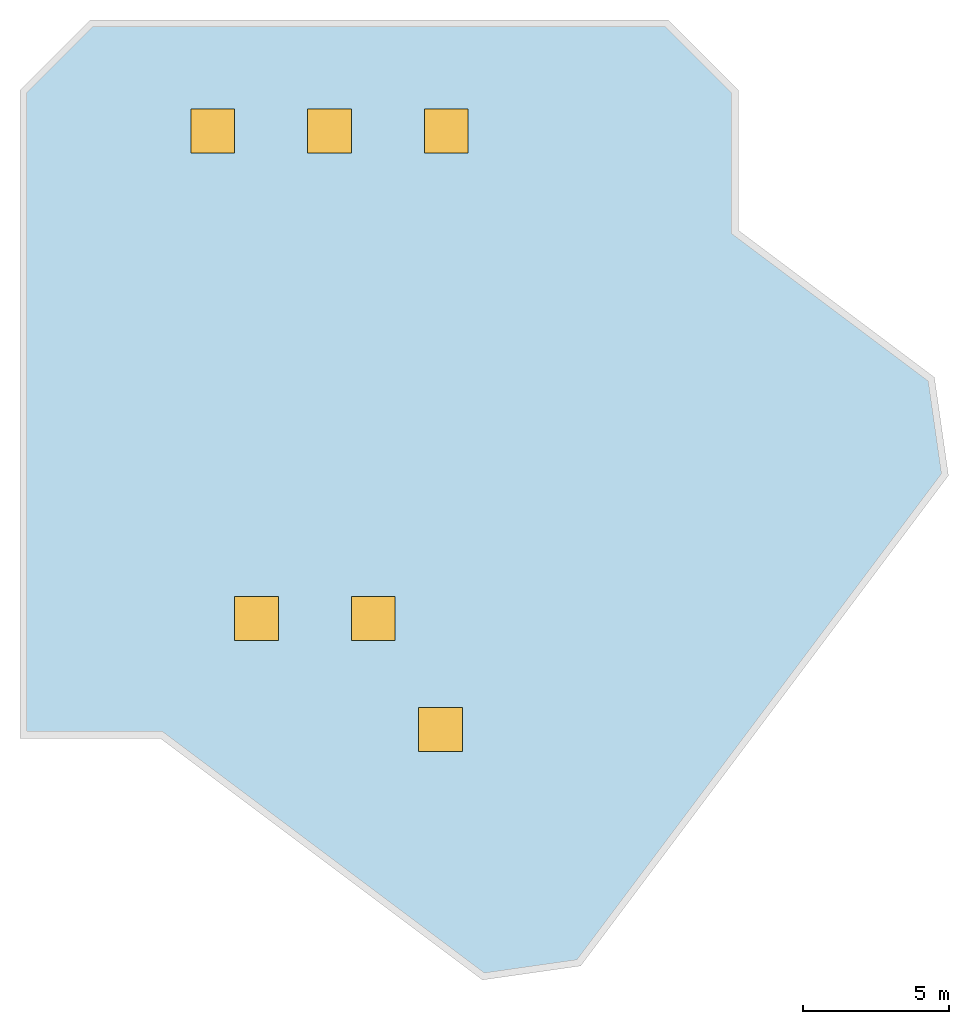
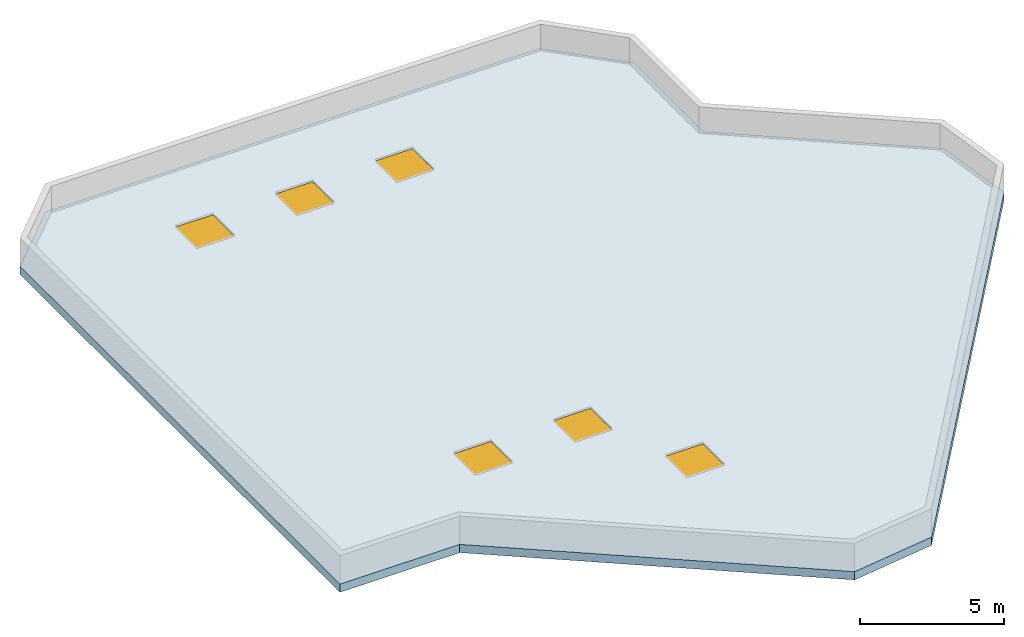
# One storey, part 1 of 2: 6 windows, 1 slab, 6 openings.
"""IFC4 building model written with IfcOpenShell, lengths in metres."""

from ifc_helpers import new_model, si_unit, direction, frame, origin, origin_2d, place, context, subcontext, project, spatial, polyline, rectangle, outline, extrude, material, layer, layer_set, type_object, element, fill, save


model = new_model("IFC4")

# Units and contexts
model_context = context("Model", 3, precision=1e-05, world=origin(), true_north=direction((0.0, 1.0)))
body_context = subcontext(model_context, "Body", "Model", "MODEL_VIEW")
ifc_project = project(units=[si_unit("LENGTHUNIT", "METRE"), si_unit("AREAUNIT", "SQUARE_METRE"), si_unit("VOLUMEUNIT", "CUBIC_METRE"), si_unit("PLANEANGLEUNIT", "RADIAN"), si_unit("MASSUNIT", "GRAM", prefix="KILO")], contexts=[model_context])

# Site, building, storey
site_placement = place(None, origin())
site = spatial("IfcSite", under=ifc_project, at=site_placement, CompositionType="ELEMENT")
building_placement = place(site_placement, origin())
building = spatial("IfcBuilding", under=site, at=building_placement, Name="Hatsunagi Terrace Concourse", CompositionType="ELEMENT")
storey_placement = place(building_placement, frame((0.0, 0.0, 294.14990234375)))
storey = spatial("IfcBuildingStorey", under=building, at=storey_placement, Name="ROOF", CompositionType="ELEMENT", Elevation=294.14990234375)

# Slab, openings, windows
ifc_material_1 = material(Name="Concrete Fc42", Category="concrete")
ifc_layer = layer(ifc_material_1, 0.35009765625)
ifc_layer_set = layer_set([ifc_layer], Name="CrownFlatRoofSlab_Fc42_350")
slab_type = type_object("IfcSlabType", Name="CrownFlatRoofSlab_Fc42_350", PredefinedType="ROOF", material=ifc_layer_set)
slab_placement = place(storey_placement, frame((0.0, 0.0, -0.349853515625)))
slab = element("IfcSlab", 1, at=slab_placement, inside=storey, type_object=slab_type, Name="Crown Mechanical Penthouse Flat Roof Slab", PredefinedType="ROOF", context=body_context, shape_type="SweptSolid", body=[
    extrude(outline(polyline([(45.0, 40.800048828125), (45.0, 45.60009765625), (42.60009765625, 48.0), (22.800048828125, 48.0), (20.39990234375, 45.60009765625), (20.39990234375, 23.39990234375), (25.199951171875, 23.39990234375), (36.239990234375, 15.1201171875), (39.60009765625, 15.60009765625), (52.199951171875, 32.39990234375), (51.719970703125, 35.760009765625), (45.0, 40.800048828125)]), holes=[polyline([(26.25, 43.449951171875), (27.75, 43.449951171875), (27.75, 44.949951171875), (26.25, 44.949951171875), (26.25, 43.449951171875)]), polyline([(30.25, 43.449951171875), (31.75, 43.449951171875), (31.75, 44.949951171875), (30.25, 44.949951171875), (30.25, 43.449951171875)]), polyline([(34.25, 43.449951171875), (35.75, 43.449951171875), (35.75, 44.949951171875), (34.25, 44.949951171875), (34.25, 43.449951171875)]), polyline([(27.75, 26.75), (29.25, 26.75), (29.25, 28.25), (27.75, 28.25), (27.75, 26.75)]), polyline([(31.75, 26.75), (33.25, 26.75), (33.25, 28.25), (31.75, 28.25), (31.75, 26.75)]), polyline([(34.050048828125, 22.949951171875), (35.550048828125, 22.949951171875), (35.550048828125, 24.449951171875), (34.050048828125, 24.449951171875), (34.050048828125, 22.949951171875)])]), origin(), (0.0, 0.0, 1.0), 0.349853515625),
])
opening_1_placement = place(slab_placement, frame((27.0, 44.199951171875, 0.0)))
opening_1 = element("IfcOpeningElement", 2, at=opening_1_placement, cuts=slab, Name="Opening SKL-01", PredefinedType="OPENING", context=body_context, shape_type="SweptSolid", body=[
    extrude(rectangle(XDim=1.5, YDim=1.5, at=origin_2d()), origin(), (0.0, 0.0, 1.0), 0.349853515625),
])
opening_2_placement = place(slab_placement, frame((31.0, 44.199951171875, 0.0)))
opening_2 = element("IfcOpeningElement", 3, at=opening_2_placement, cuts=slab, Name="Opening SKL-01", PredefinedType="OPENING", context=body_context, shape_type="SweptSolid", body=[
    extrude(rectangle(XDim=1.5, YDim=1.5, at=origin_2d()), origin(), (0.0, 0.0, 1.0), 0.349853515625),
])
opening_3_placement = place(slab_placement, frame((35.0, 44.199951171875, 0.0)))
opening_3 = element("IfcOpeningElement", 4, at=opening_3_placement, cuts=slab, Name="Opening SKL-01", PredefinedType="OPENING", context=body_context, shape_type="SweptSolid", body=[
    extrude(rectangle(XDim=1.5, YDim=1.5, at=origin_2d()), origin(), (0.0, 0.0, 1.0), 0.349853515625),
])
opening_4_placement = place(slab_placement, frame((28.5, 27.5, 0.0)))
opening_4 = element("IfcOpeningElement", 5, at=opening_4_placement, cuts=slab, Name="Opening SKL-01", PredefinedType="OPENING", context=body_context, shape_type="SweptSolid", body=[
    extrude(rectangle(XDim=1.5, YDim=1.5, at=origin_2d()), origin(), (0.0, 0.0, 1.0), 0.349853515625),
])
opening_5_placement = place(slab_placement, frame((32.5, 27.5, 0.0)))
opening_5 = element("IfcOpeningElement", 6, at=opening_5_placement, cuts=slab, Name="Opening SKL-01", PredefinedType="OPENING", context=body_context, shape_type="SweptSolid", body=[
    extrude(rectangle(XDim=1.5, YDim=1.5, at=origin_2d()), origin(), (0.0, 0.0, 1.0), 0.349853515625),
])
opening_6_placement = place(slab_placement, frame((34.800048828125, 23.699951171875, 0.0)))
opening_6 = element("IfcOpeningElement", 7, at=opening_6_placement, cuts=slab, Name="Opening SKL-01", PredefinedType="OPENING", context=body_context, shape_type="SweptSolid", body=[
    extrude(rectangle(XDim=1.5, YDim=1.5, at=origin_2d()), origin(), (0.0, 0.0, 1.0), 0.349853515625),
])
ifc_material_2 = material(Name="Thermally Broken Aluminium and Low-E Triple Glazing", Category="aluminium")
window_type = type_object("IfcWindowType", Name="RoofSmokeAccessSkylight_1500x1500", PartitioningType="SINGLE_PANEL", PredefinedType="SKYLIGHT", material=ifc_material_2)
window_1_placement = place(opening_1_placement, frame((0.0, 0.0, 0.2998046875)))
window_1 = element("IfcWindow", 8, at=window_1_placement, inside=storey, type_object=window_type, Name="Crown Smoke-Vent and Maintenance Hatch Skylight 01", OverallHeight=1.5, OverallWidth=1.5, PartitioningType="SINGLE_PANEL", PredefinedType="SKYLIGHT", context=body_context, shape_type="SweptSolid", body=[
    extrude(rectangle(XDim=1.5, YDim=1.5, at=origin_2d()), origin(), (0.0, 0.0, 1.0), 0.050048828125),
])
fill(opening_1, window_1)
window_2_placement = place(opening_2_placement, frame((0.0, 0.0, 0.2998046875)))
window_2 = element("IfcWindow", 9, at=window_2_placement, inside=storey, type_object=window_type, Name="Crown Smoke-Vent and Maintenance Hatch Skylight 02", OverallHeight=1.5, OverallWidth=1.5, PartitioningType="SINGLE_PANEL", PredefinedType="SKYLIGHT", context=body_context, shape_type="SweptSolid", body=[
    extrude(rectangle(XDim=1.5, YDim=1.5, at=origin_2d()), origin(), (0.0, 0.0, 1.0), 0.050048828125),
])
fill(opening_2, window_2)
window_3_placement = place(opening_3_placement, frame((0.0, 0.0, 0.2998046875)))
window_3 = element("IfcWindow", 10, at=window_3_placement, inside=storey, type_object=window_type, Name="Crown Smoke-Vent and Maintenance Hatch Skylight 03", OverallHeight=1.5, OverallWidth=1.5, PartitioningType="SINGLE_PANEL", PredefinedType="SKYLIGHT", context=body_context, shape_type="SweptSolid", body=[
    extrude(rectangle(XDim=1.5, YDim=1.5, at=origin_2d()), origin(), (0.0, 0.0, 1.0), 0.050048828125),
])
fill(opening_3, window_3)
window_4_placement = place(opening_4_placement, frame((0.0, 0.0, 0.2998046875)))
window_4 = element("IfcWindow", 11, at=window_4_placement, inside=storey, type_object=window_type, Name="Crown Smoke-Vent and Maintenance Hatch Skylight 04", OverallHeight=1.5, OverallWidth=1.5, PartitioningType="SINGLE_PANEL", PredefinedType="SKYLIGHT", context=body_context, shape_type="SweptSolid", body=[
    extrude(rectangle(XDim=1.5, YDim=1.5, at=origin_2d()), origin(), (0.0, 0.0, 1.0), 0.050048828125),
])
fill(opening_4, window_4)
window_5_placement = place(opening_5_placement, frame((0.0, 0.0, 0.2998046875)))
window_5 = element("IfcWindow", 12, at=window_5_placement, inside=storey, type_object=window_type, Name="Crown Smoke-Vent and Maintenance Hatch Skylight 05", OverallHeight=1.5, OverallWidth=1.5, PartitioningType="SINGLE_PANEL", PredefinedType="SKYLIGHT", context=body_context, shape_type="SweptSolid", body=[
    extrude(rectangle(XDim=1.5, YDim=1.5, at=origin_2d()), origin(), (0.0, 0.0, 1.0), 0.050048828125),
])
fill(opening_5, window_5)
window_6_placement = place(opening_6_placement, frame((0.0, 0.0, 0.2998046875)))
window_6 = element("IfcWindow", 13, at=window_6_placement, inside=storey, type_object=window_type, Name="Crown Smoke-Vent and Maintenance Hatch Skylight 06", OverallHeight=1.5, OverallWidth=1.5, PartitioningType="SINGLE_PANEL", PredefinedType="SKYLIGHT", context=body_context, shape_type="SweptSolid", body=[
    extrude(rectangle(XDim=1.5, YDim=1.5, at=origin_2d()), origin(), (0.0, 0.0, 1.0), 0.050048828125),
])
fill(opening_6, window_6)

save(model, "model.ifc")
